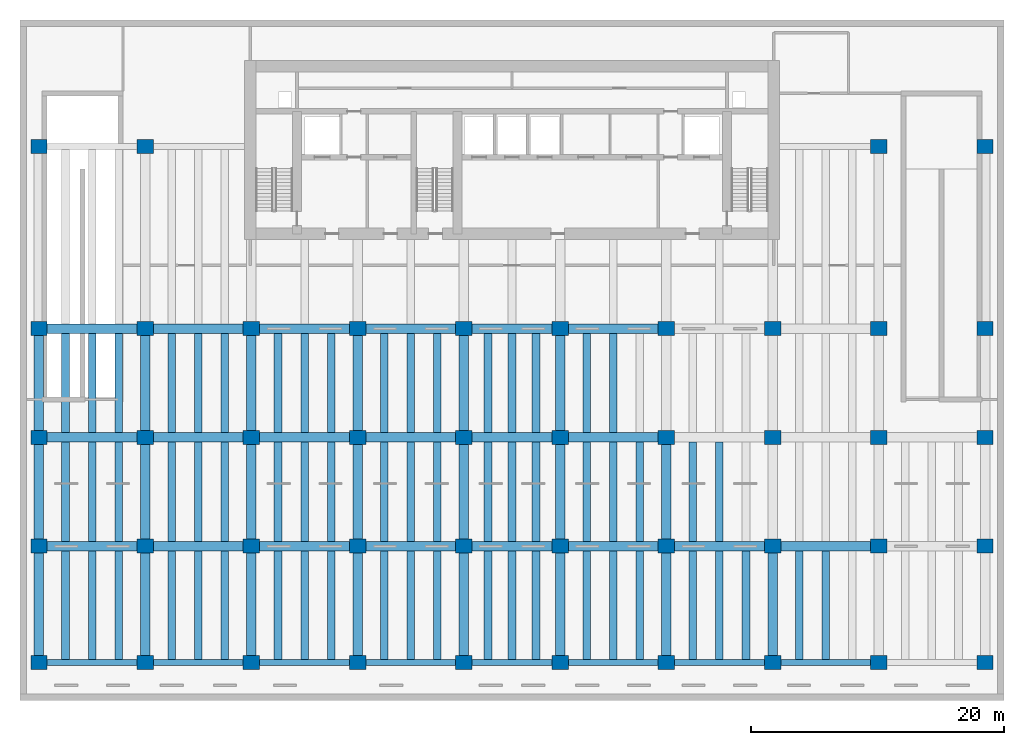
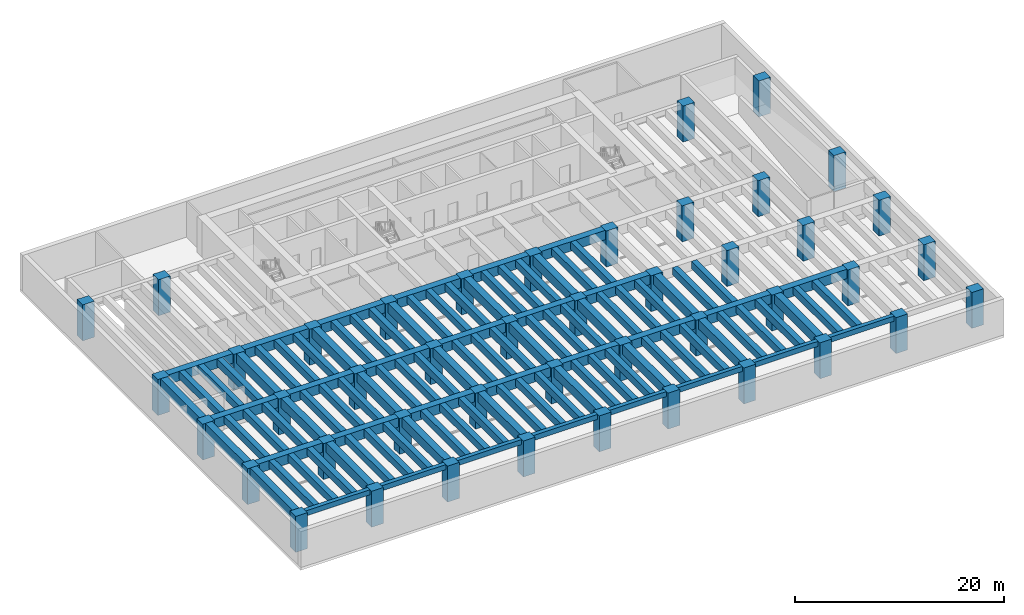
# One storey, part 1 of 8: 109 beams, 44 columns.
"""IFC4 building model written with IfcOpenShell, lengths in metres."""

import ifcopenshell
import ifcopenshell.guid

model = None  # the IFC model being written
_history = None  # IfcOwnerHistory: only IFC2X3 demands one
_inside = {}  # id of a spatial element -> (the spatial element, [elements in it])
_under = {}  # id of a project, library or spatial element -> (it, [spatial elements below it])
_declared = {}  # id of a project -> (the project, [libraries it declares])
_typed = {}  # id of a type object -> (the type object, [elements of that type])
_made_of = {}  # id of a material, layer set ... -> (it, [elements and type objects made of it])


def new_model(schema):
    """Start an empty IFC model of exactly this schema.

    Asked for "IFC4X3", IfcOpenShell would pick the latest addendum, in which some entities
    have other attributes; the version numbers below select the first issue.
    IFC2X3 requires an IfcOwnerHistory on every rooted entity: one is made here for all.
    """
    global model, _history
    if schema == "IFC4X3":
        model = ifcopenshell.file(schema_version=(4, 3, 0, 0))
    else:
        model = ifcopenshell.file(schema=schema)
    _inside.clear()
    _under.clear()
    _declared.clear()
    _typed.clear()
    _made_of.clear()
    _history = None
    if model.schema == "IFC2X3":
        org = make("IfcOrganization", Name="unknown")
        user = make(
            "IfcPersonAndOrganization",
            ThePerson=make("IfcPerson", FamilyName="unknown"),
            TheOrganization=org,
        )
        app = make(
            "IfcApplication",
            ApplicationDeveloper=org,
            Version="unknown",
            ApplicationFullName="unknown",
            ApplicationIdentifier="unknown",
        )
        _history = make(
            "IfcOwnerHistory",
            OwningUser=user,
            OwningApplication=app,
            ChangeAction="ADDED",
            CreationDate=0,
        )
    return model


def make(cls, **values):
    """One entity of the class cls with the attributes given. An attribute that is None is left unset."""
    return model.create_entity(
        cls, **{name: value for name, value in values.items() if value is not None}
    )


def rooted(cls, **values):
    """An entity with a GlobalId (a new one), such as an element, a storey or a relation."""
    return make(cls, GlobalId=ifcopenshell.guid.new(), OwnerHistory=_history, **values)


def si_unit(unit_type, name, prefix=None):
    """IfcSIUnit, for example si_unit("LENGTHUNIT", "METRE", prefix="MILLI")."""
    return make("IfcSIUnit", UnitType=unit_type, Prefix=prefix, Name=name)


def assignment(units):
    """IfcUnitAssignment: the units of a project."""
    return None if units is None else make("IfcUnitAssignment", Units=units)


def point(xyz):
    """IfcCartesianPoint."""
    return None if xyz is None else make("IfcCartesianPoint", Coordinates=xyz)


def direction(xyz):
    """IfcDirection."""
    return None if xyz is None else make("IfcDirection", DirectionRatios=xyz)


def frame(location, z_axis=None, x_axis=None):
    """IfcAxis2Placement3D, a coordinate frame: its origin and axes. An axis left out is left unset."""
    return make(
        "IfcAxis2Placement3D",
        Location=point(location),
        Axis=direction(z_axis),
        RefDirection=direction(x_axis),
    )


def frame_2d(location, x_axis=None):
    """IfcAxis2Placement2D, a coordinate frame in the plane: its origin and x axis."""
    return make(
        "IfcAxis2Placement2D", Location=point(location), RefDirection=direction(x_axis)
    )


def origin():
    """The frame at (0, 0, 0) with its axes left unset."""
    return frame((0.0, 0.0, 0.0))


def origin_2d():
    """The frame at (0, 0) in the plane with its x axis left unset."""
    return frame_2d((0.0, 0.0))


def place(relative_to, where):
    """IfcLocalPlacement: puts the frame where relative to a parent placement (None: the world)."""
    return make(
        "IfcLocalPlacement", PlacementRelTo=relative_to, RelativePlacement=where
    )


def context(
    kind, dimensions, precision=None, world=None, true_north=None, identifier=None
):
    """IfcGeometricRepresentationContext, for example the 3D "Model" context."""
    return make(
        "IfcGeometricRepresentationContext",
        ContextIdentifier=identifier,
        ContextType=kind,
        CoordinateSpaceDimension=dimensions,
        Precision=precision,
        WorldCoordinateSystem=world,
        TrueNorth=true_north,
    )


def subcontext(parent, identifier, kind, view, scale=None):
    """IfcGeometricRepresentationSubContext, for example "Body" below "Model"."""
    return make(
        "IfcGeometricRepresentationSubContext",
        ContextIdentifier=identifier,
        ContextType=kind,
        ParentContext=parent,
        TargetScale=scale,
        TargetView=view,
    )


def project(units=None, contexts=None):
    """IfcProject with its units and contexts."""
    return rooted(
        "IfcProject",
        Name="project",
        RepresentationContexts=contexts,
        UnitsInContext=assignment(units),
    )


def spatial(cls, under=None, at=None, **own):
    """A site, building, storey or space (cls), placed at a placement, below another one or the project."""
    s = rooted(cls, ObjectPlacement=at, **own)
    if under is not None:
        _under.setdefault(under.id(), (under, []))[1].append(s)
    return s


def profile(cls, at=None, kind="AREA", **sizes):
    """A parametric profile (cls). Its sizes go by their IFC names, for example OverallWidth=200.0."""
    return make(cls, ProfileType=kind, Position=at, **sizes)


def rectangle(**sizes):
    """IfcRectangleProfileDef."""
    return profile("IfcRectangleProfileDef", **sizes)


def extrude(swept, where, along, depth):
    """IfcExtrudedAreaSolid: the profile swept, set in the frame where, extruded along a direction by depth."""
    return make(
        "IfcExtrudedAreaSolid",
        SweptArea=swept,
        Position=where,
        ExtrudedDirection=direction(along),
        Depth=depth,
    )


def shape(context_of_items, identifier, shape_type, items):
    """IfcShapeRepresentation: the items that make up one representation, for example the "Body"."""
    return make(
        "IfcShapeRepresentation",
        ContextOfItems=context_of_items,
        RepresentationIdentifier=identifier,
        RepresentationType=shape_type,
        Items=items,
    )


def material(Name=None, Category=None):
    """IfcMaterial."""
    return make("IfcMaterial", Name=Name, Category=Category)


def material_profile(
    of_material, cross_section, Name=None, Category=None, Priority=None
):
    """IfcMaterialProfile: a cross section and its material."""
    return make(
        "IfcMaterialProfile",
        Name=Name,
        Material=of_material,
        Profile=cross_section,
        Priority=Priority,
        Category=Category,
    )


def profile_set(profiles, Name=None, composite=None):
    """IfcMaterialProfileSet."""
    return make(
        "IfcMaterialProfileSet",
        Name=Name,
        MaterialProfiles=profiles,
        CompositeProfile=composite,
    )


def made_of(thing, what):
    """Note that an element or type object is made of a material, layer set ...; save() writes the relation."""
    if what is not None:
        _made_of.setdefault(what.id(), (what, []))[1].append(thing)
    return thing


def type_object(cls, material=None, **own):
    """A type object (cls), such as IfcWallType, which elements share."""
    return made_of(rooted(cls, **own), material)


def element(
    cls,
    number,
    at=None,
    inside=None,
    cuts=None,
    type_object=None,
    material=None,
    context=None,
    identifier="Body",
    shape_type=None,
    held_by="IfcProductDefinitionShape",
    body=None,
    shapes=None,
    **own,
):
    """One element of the class cls, such as IfcWall. Its Tag is "e" and its number.

    at: its placement. inside: the storey or other place that contains it. cuts: it is an
    opening in that element (IfcRelVoidsElement). A single representation is given by context,
    identifier, shape_type and body (its items); several are given by shapes. held_by: the class
    of the entity that holds the representations. save() writes the other relations.
    """
    e = rooted(cls, Tag="e%d" % number, ObjectPlacement=at, **own)
    if body is not None:
        shapes = [shape(context, identifier, shape_type, body)]
    if shapes is not None:
        e.Representation = make(held_by, Representations=shapes)
    if inside is not None:
        _inside.setdefault(inside.id(), (inside, []))[1].append(e)
    if cuts is not None:
        rooted(
            "IfcRelVoidsElement", RelatingBuildingElement=cuts, RelatedOpeningElement=e
        )
    if type_object is not None:
        _typed.setdefault(type_object.id(), (type_object, []))[1].append(e)
    return made_of(e, material)


def aggregate(whole, parts):
    """IfcRelAggregates: a whole, such as a stair, and the parts it consists of."""
    return rooted("IfcRelAggregates", RelatingObject=whole, RelatedObjects=parts)


def save(model, path):
    """Write the relations noted so far, then the file.

    IfcRelAggregates (storeys below a building ...), IfcRelContainedInSpatialStructure (elements
    in a storey), IfcRelDefinesByType, IfcRelAssociatesMaterial and IfcRelDeclares: one each for
    every whole, place, type object, material and project.
    """
    for whole, parts in _under.values():
        aggregate(whole, parts)
    for where, things in _inside.values():
        rooted(
            "IfcRelContainedInSpatialStructure",
            RelatedElements=things,
            RelatingStructure=where,
        )
    for kind, things in _typed.values():
        rooted("IfcRelDefinesByType", RelatedObjects=things, RelatingType=kind)
    for what, things in _made_of.values():
        rooted("IfcRelAssociatesMaterial", RelatedObjects=things, RelatingMaterial=what)
    for by, libraries in _declared.values():
        rooted("IfcRelDeclares", RelatingContext=by, RelatedDefinitions=libraries)
    model.write(path)


model = new_model("IFC4")

# Units and contexts
model_context = context("Model", 3, precision=1e-05, world=origin(), true_north=direction((0.0, 1.0)))
body_context = subcontext(model_context, "Body", "Model", "MODEL_VIEW")
ifc_project = project(units=[si_unit("LENGTHUNIT", "METRE"), si_unit("AREAUNIT", "SQUARE_METRE"), si_unit("VOLUMEUNIT", "CUBIC_METRE"), si_unit("PLANEANGLEUNIT", "RADIAN"), si_unit("MASSUNIT", "GRAM", prefix="KILO")], contexts=[model_context])

# Site, building, storey
site_placement = place(None, origin())
site = spatial("IfcSite", under=ifc_project, at=site_placement, CompositionType="ELEMENT")
building_placement = place(site_placement, origin())
building = spatial("IfcBuilding", under=site, at=building_placement, Name="Caelmar Bay Residences", CompositionType="ELEMENT")
storey_placement = place(building_placement, frame((0.0, 0.0, -4.5)))
storey = spatial("IfcBuildingStorey", under=building, at=storey_placement, Name="B01", CompositionType="ELEMENT", Elevation=-4.5)

# Columns
ifc_material_1 = material(Name="Concrete f'c 70 MPa (10,000 psi)", Category="concrete")
ifc_material_profile_1 = material_profile(ifc_material_1, rectangle(XDim=1.300048828125, YDim=1.10009765625, at=origin_2d()), Name="RC-COL-1300X1100")
ifc_profile_set_1 = profile_set([ifc_material_profile_1], Name="Concrete f'c 70 MPa (10,000 psi)")
column_type = type_object("IfcColumnType", Name="COL-RC-1300X1100", PredefinedType="COLUMN", material=ifc_profile_set_1)
for number, where, z_axis, x_axis, name in (
    (1, (1.5, 3.0, 0.0), (0.0, 0.0, 1.0), (1.0, 0.0, 0.0), "B01 Column (1.50,3.00)"),
    (2, (9.89990234375, 3.0, 0.0), (0.0, 0.0, 1.0), (1.0, 0.0, 0.0), "B01 Column (9.90,3.00)"),
    (3, (18.300048828125, 3.0, 0.0), (0.0, 0.0, 1.0), (1.0, 0.0, 0.0), "B01 Column (18.30,3.00)"),
    (4, (26.699951171875, 3.0, 0.0), (0.0, 0.0, 1.0), (1.0, 0.0, 0.0), "B01 Column (26.70,3.00)"),
    (5, (35.10009765625, 3.0, 0.0), (0.0, 0.0, 1.0), (1.0, 0.0, 0.0), "B01 Column (35.10,3.00)"),
    (6, (42.699951171875, 3.0, 0.0), (0.0, 0.0, 1.0), (1.0, 0.0, 0.0), "B01 Column (42.70,3.00)"),
    (7, (51.10009765625, 3.0, 0.0), (0.0, 0.0, 1.0), (1.0, 0.0, 0.0), "B01 Column (51.10,3.00)"),
    (8, (59.5, 3.0, 0.0), (0.0, 0.0, 1.0), (1.0, 0.0, 0.0), "B01 Column (59.50,3.00)"),
    (9, (67.89990234375, 3.0, 0.0), (0.0, 0.0, 1.0), (1.0, 0.0, 0.0), "B01 Column (67.90,3.00)"),
    (10, (76.300048828125, 3.0, 0.0), (0.0, 0.0, 1.0), (1.0, 0.0, 0.0), "B01 Column (76.30,3.00)"),
    (11, (1.5, 12.199951171875, 0.0), (0.0, 0.0, 1.0), (1.0, 0.0, 0.0), "B01 Column (1.50,12.20)"),
    (12, (9.89990234375, 12.199951171875, 0.0), (0.0, 0.0, 1.0), (1.0, 0.0, 0.0), "B01 Column (9.90,12.20)"),
    (13, (18.300048828125, 12.199951171875, 0.0), (0.0, 0.0, 1.0), (1.0, 0.0, 0.0), "B01 Column (18.30,12.20)"),
    (14, (26.699951171875, 12.199951171875, 0.0), (0.0, 0.0, 1.0), (1.0, 0.0, 0.0), "B01 Column (26.70,12.20)"),
    (15, (35.10009765625, 12.199951171875, 0.0), (0.0, 0.0, 1.0), (1.0, 0.0, 0.0), "B01 Column (35.10,12.20)"),
    (16, (42.699951171875, 12.199951171875, 0.0), (0.0, 0.0, 1.0), (1.0, 0.0, 0.0), "B01 Column (42.70,12.20)"),
    (17, (51.10009765625, 12.199951171875, 0.0), (0.0, 0.0, 1.0), (1.0, 0.0, 0.0), "B01 Column (51.10,12.20)"),
    (18, (59.5, 12.199951171875, 0.0), (0.0, 0.0, 1.0), (1.0, 0.0, 0.0), "B01 Column (59.50,12.20)"),
    (19, (67.89990234375, 12.199951171875, 0.0), (0.0, 0.0, 1.0), (1.0, 0.0, 0.0), "B01 Column (67.90,12.20)"),
    (20, (76.300048828125, 12.199951171875, 0.0), (0.0, 0.0, 1.0), (1.0, 0.0, 0.0), "B01 Column (76.30,12.20)"),
    (21, (1.5, 20.800048828125, 0.0), (0.0, 0.0, 1.0), (1.0, 0.0, 0.0), "B01 Column (1.50,20.80)"),
    (22, (9.89990234375, 20.800048828125, 0.0), (0.0, 0.0, 1.0), (1.0, 0.0, 0.0), "B01 Column (9.90,20.80)"),
    (23, (18.300048828125, 20.800048828125, 0.0), (0.0, 0.0, 1.0), (1.0, 0.0, 0.0), "B01 Column (18.30,20.80)"),
    (24, (26.699951171875, 20.800048828125, 0.0), (0.0, 0.0, 1.0), (1.0, 0.0, 0.0), "B01 Column (26.70,20.80)"),
    (25, (35.10009765625, 20.800048828125, 0.0), (0.0, 0.0, 1.0), (1.0, 0.0, 0.0), "B01 Column (35.10,20.80)"),
    (26, (42.699951171875, 20.800048828125, 0.0), (0.0, 0.0, 1.0), (1.0, 0.0, 0.0), "B01 Column (42.70,20.80)"),
    (27, (51.10009765625, 20.800048828125, 0.0), (0.0, 0.0, 1.0), (1.0, 0.0, 0.0), "B01 Column (51.10,20.80)"),
    (28, (59.5, 20.800048828125, 0.0), (0.0, 0.0, 1.0), (1.0, 0.0, 0.0), "B01 Column (59.50,20.80)"),
    (29, (67.89990234375, 20.800048828125, 0.0), (0.0, 0.0, 1.0), (1.0, 0.0, 0.0), "B01 Column (67.90,20.80)"),
    (30, (76.300048828125, 20.800048828125, 0.0), (0.0, 0.0, 1.0), (1.0, 0.0, 0.0), "B01 Column (76.30,20.80)"),
    (31, (1.5, 29.39990234375, 0.0), (0.0, 0.0, 1.0), (1.0, 0.0, 0.0), "B01 Column (1.50,29.40)"),
    (32, (9.89990234375, 29.39990234375, 0.0), (0.0, 0.0, 1.0), (1.0, 0.0, 0.0), "B01 Column (9.90,29.40)"),
    (33, (18.300048828125, 29.39990234375, 0.0), (0.0, 0.0, 1.0), (1.0, 0.0, 0.0), "B01 Column (18.30,29.40)"),
    (34, (26.699951171875, 29.39990234375, 0.0), (0.0, 0.0, 1.0), (1.0, 0.0, 0.0), "B01 Column (26.70,29.40)"),
    (35, (35.10009765625, 29.39990234375, 0.0), (0.0, 0.0, 1.0), (1.0, 0.0, 0.0), "B01 Column (35.10,29.40)"),
    (36, (42.699951171875, 29.39990234375, 0.0), (0.0, 0.0, 1.0), (1.0, 0.0, 0.0), "B01 Column (42.70,29.40)"),
    (37, (51.10009765625, 29.39990234375, 0.0), (0.0, 0.0, 1.0), (1.0, 0.0, 0.0), "B01 Column (51.10,29.40)"),
    (38, (59.5, 29.39990234375, 0.0), (0.0, 0.0, 1.0), (1.0, 0.0, 0.0), "B01 Column (59.50,29.40)"),
    (39, (67.89990234375, 29.39990234375, 0.0), (0.0, 0.0, 1.0), (1.0, 0.0, 0.0), "B01 Column (67.90,29.40)"),
    (40, (76.300048828125, 29.39990234375, 0.0), (0.0, 0.0, 1.0), (1.0, 0.0, 0.0), "B01 Column (76.30,29.40)"),
    (41, (1.5, 43.800048828125, 0.0), (0.0, 0.0, 1.0), (1.0, 0.0, 0.0), "B01 Column (1.50,43.80)"),
    (42, (9.89990234375, 43.800048828125, 0.0), (0.0, 0.0, 1.0), (1.0, 0.0, 0.0), "B01 Column (9.90,43.80)"),
    (43, (67.89990234375, 43.800048828125, 0.0), (0.0, 0.0, 1.0), (1.0, 0.0, 0.0), "B01 Column (67.90,43.80)"),
    (44, (76.300048828125, 43.800048828125, 0.0), (0.0, 0.0, 1.0), (1.0, 0.0, 0.0), "B01 Column (76.30,43.80)"),
):
    element("IfcColumn", number, at=place(storey_placement, frame(where, z_axis=z_axis, x_axis=x_axis)), inside=storey, type_object=column_type, Name=name, PredefinedType="COLUMN", context=body_context, shape_type="SweptSolid", body=[
        extrude(rectangle(XDim=1.300048828125, YDim=1.10009765625, at=origin_2d()), origin(), (0.0, 0.0, 1.0), 4.199951171875),
    ])

# Beams
ifc_material_2 = material(Name="Concrete f'c 40 MPa (6,000 psi)", Category="concrete")
ifc_material_profile_2 = material_profile(ifc_material_2, rectangle(XDim=0.449951171875, YDim=0.60009765625, at=origin_2d()), Name="RC-BM-450X600")
ifc_profile_set_2 = profile_set([ifc_material_profile_2], Name="Concrete f'c 40 MPa (6,000 psi)")
beam_type_1 = type_object("IfcBeamType", Name="BM-RC-450X600", PredefinedType="SPANDREL", material=ifc_profile_set_2)
for number, where, z_axis, x_axis, name in (
    (45, (2.0400390625, 3.0, 3.89990234375), (1.0, 0.0, 0.0), (0.0, 1.0, 0.0), "B01 East-West Girder Y=3.00 (1.5-9.9)"),
    (46, (10.43994140625, 3.0, 3.89990234375), (1.0, 0.0, 0.0), (0.0, 1.0, 0.0), "B01 East-West Girder Y=3.00 (9.9-18.3)"),
):
    element("IfcBeam", number, at=place(storey_placement, frame(where, z_axis=z_axis, x_axis=x_axis)), inside=storey, type_object=beam_type_1, Name=name, PredefinedType="SPANDREL", context=body_context, shape_type="SweptSolid", body=[
        extrude(rectangle(XDim=0.449951171875, YDim=0.60009765625, at=origin_2d()), origin(), (0.0, 0.0, 1.0), 7.320068359375),
    ])
beam_1_placement = place(storey_placement, frame((18.840087890625, 3.0, 3.89990234375), z_axis=(1.0, 0.0, 0.0), x_axis=(0.0, 1.0, 0.0)))
element("IfcBeam", 47, at=beam_1_placement, inside=storey, type_object=beam_type_1, Name="B01 East-West Girder Y=3.00 (18.3-26.7)", PredefinedType="SPANDREL", context=body_context, shape_type="SweptSolid", body=[
    extrude(rectangle(XDim=0.449951171875, YDim=0.60009765625, at=origin_2d()), origin(), (0.0, 0.0, 1.0), 7.31982421875),
])
beam_2_placement = place(storey_placement, frame((27.239990234375, 3.0, 3.89990234375), z_axis=(1.0, 0.0, 0.0), x_axis=(0.0, 1.0, 0.0)))
element("IfcBeam", 48, at=beam_2_placement, inside=storey, type_object=beam_type_1, Name="B01 East-West Girder Y=3.00 (26.7-35.1)", PredefinedType="SPANDREL", context=body_context, shape_type="SweptSolid", body=[
    extrude(rectangle(XDim=0.449951171875, YDim=0.60009765625, at=origin_2d()), origin(), (0.0, 0.0, 1.0), 7.320068359375),
])
beam_3_placement = place(storey_placement, frame((35.639892578125, 3.0, 3.89990234375), z_axis=(1.0, 0.0, 0.0), x_axis=(0.0, 1.0, 0.0)))
element("IfcBeam", 49, at=beam_3_placement, inside=storey, type_object=beam_type_1, Name="B01 East-West Girder Y=3.00 (35.1-42.7)", PredefinedType="SPANDREL", context=body_context, shape_type="SweptSolid", body=[
    extrude(rectangle(XDim=0.449951171875, YDim=0.60009765625, at=origin_2d()), origin(), (0.0, 0.0, 1.0), 6.52001953125),
])
for number, where, z_axis, x_axis, name in (
    (50, (43.239990234375, 3.0, 3.89990234375), (1.0, 0.0, 0.0), (0.0, 1.0, 0.0), "B01 East-West Girder Y=3.00 (42.7-51.1)"),
    (51, (51.639892578125, 3.0, 3.89990234375), (1.0, 0.0, 0.0), (0.0, 1.0, 0.0), "B01 East-West Girder Y=3.00 (51.1-59.5)"),
    (52, (60.0400390625, 3.0, 3.89990234375), (1.0, 0.0, 0.0), (0.0, 1.0, 0.0), "B01 East-West Girder Y=3.00 (59.5-67.9)"),
):
    element("IfcBeam", number, at=place(storey_placement, frame(where, z_axis=z_axis, x_axis=x_axis)), inside=storey, type_object=beam_type_1, Name=name, PredefinedType="SPANDREL", context=body_context, shape_type="SweptSolid", body=[
        extrude(rectangle(XDim=0.449951171875, YDim=0.60009765625, at=origin_2d()), origin(), (0.0, 0.0, 1.0), 7.320068359375),
    ])
ifc_material_profile_3 = material_profile(ifc_material_1, rectangle(XDim=0.60009765625, YDim=0.85009765625, at=origin_2d()), Name="RC-BM-600X850")
ifc_profile_set_3 = profile_set([ifc_material_profile_3], Name="Concrete f'c 70 MPa (10,000 psi)")
beam_type_2 = type_object("IfcBeamType", Name="BM-RC-600X850", PredefinedType="BEAM", material=ifc_profile_set_3)
for number, where, z_axis, x_axis, name in (
    (53, (3.60009765625, 3.22509765625, 3.77490234375), (0.0, 1.0, 0.0), (-1.0, 0.0, 0.0), "B01 Composite Floor Joist 1"),
    (54, (5.699951171875, 3.22509765625, 3.77490234375), (0.0, 1.0, 0.0), (-1.0, 0.0, 0.0), "B01 Composite Floor Joist 2"),
    (55, (7.800048828125, 3.22509765625, 3.77490234375), (0.0, 1.0, 0.0), (-1.0, 0.0, 0.0), "B01 Composite Floor Joist 3"),
    (56, (12.0, 3.22509765625, 3.77490234375), (0.0, 1.0, 0.0), (-1.0, 0.0, 0.0), "B01 Composite Floor Joist 4"),
    (57, (14.10009765625, 3.22509765625, 3.77490234375), (0.0, 1.0, 0.0), (-1.0, 0.0, 0.0), "B01 Composite Floor Joist 5"),
    (58, (16.199951171875, 3.22509765625, 3.77490234375), (0.0, 1.0, 0.0), (-1.0, 0.0, 0.0), "B01 Composite Floor Joist 6"),
    (59, (20.39990234375, 3.22509765625, 3.77490234375), (0.0, 1.0, 0.0), (-1.0, 0.0, 0.0), "B01 Composite Floor Joist 7"),
    (60, (22.5, 3.22509765625, 3.77490234375), (0.0, 1.0, 0.0), (-1.0, 0.0, 0.0), "B01 Composite Floor Joist 8"),
    (61, (24.60009765625, 3.22509765625, 3.77490234375), (0.0, 1.0, 0.0), (-1.0, 0.0, 0.0), "B01 Composite Floor Joist 9"),
    (62, (28.800048828125, 3.22509765625, 3.77490234375), (0.0, 1.0, 0.0), (-1.0, 0.0, 0.0), "B01 Composite Floor Joist 10"),
    (63, (30.89990234375, 3.22509765625, 3.77490234375), (0.0, 1.0, 0.0), (-1.0, 0.0, 0.0), "B01 Composite Floor Joist 11"),
    (64, (33.0, 3.22509765625, 3.77490234375), (0.0, 1.0, 0.0), (-1.0, 0.0, 0.0), "B01 Composite Floor Joist 12"),
    (65, (37.0, 3.22509765625, 3.77490234375), (0.0, 1.0, 0.0), (-1.0, 0.0, 0.0), "B01 Composite Floor Joist 13"),
    (66, (38.89990234375, 3.22509765625, 3.77490234375), (0.0, 1.0, 0.0), (-1.0, 0.0, 0.0), "B01 Composite Floor Joist 14"),
    (67, (40.800048828125, 3.22509765625, 3.77490234375), (0.0, 1.0, 0.0), (-1.0, 0.0, 0.0), "B01 Composite Floor Joist 15"),
    (68, (44.800048828125, 3.22509765625, 3.77490234375), (0.0, 1.0, 0.0), (-1.0, 0.0, 0.0), "B01 Composite Floor Joist 16"),
    (69, (46.89990234375, 3.22509765625, 3.77490234375), (0.0, 1.0, 0.0), (-1.0, 0.0, 0.0), "B01 Composite Floor Joist 17"),
    (70, (49.0, 3.22509765625, 3.77490234375), (0.0, 1.0, 0.0), (-1.0, 0.0, 0.0), "B01 Composite Floor Joist 18"),
    (71, (53.199951171875, 3.22509765625, 3.77490234375), (0.0, 1.0, 0.0), (-1.0, 0.0, 0.0), "B01 Composite Floor Joist 19"),
    (72, (55.300048828125, 3.22509765625, 3.77490234375), (0.0, 1.0, 0.0), (-1.0, 0.0, 0.0), "B01 Composite Floor Joist 20"),
    (73, (57.39990234375, 3.22509765625, 3.77490234375), (0.0, 1.0, 0.0), (-1.0, 0.0, 0.0), "B01 Composite Floor Joist 21"),
    (74, (61.60009765625, 3.22509765625, 3.77490234375), (0.0, 1.0, 0.0), (-1.0, 0.0, 0.0), "B01 Composite Floor Joist 22"),
    (75, (63.699951171875, 3.22509765625, 3.77490234375), (0.0, 1.0, 0.0), (-1.0, 0.0, 0.0), "B01 Composite Floor Joist 23"),
):
    element("IfcBeam", number, at=place(storey_placement, frame(where, z_axis=z_axis, x_axis=x_axis)), inside=storey, type_object=beam_type_2, Name=name, PredefinedType="BEAM", context=body_context, shape_type="SweptSolid", body=[
        extrude(rectangle(XDim=0.60009765625, YDim=0.85009765625, at=origin_2d()), origin(), (0.0, 0.0, 1.0), 8.599853515625),
    ])
for number, where, z_axis, x_axis, name in (
    (76, (3.60009765625, 12.574951171875, 3.77490234375), (0.0, 1.0, 0.0), (-1.0, 0.0, 0.0), "B01 Composite Floor Joist 28"),
    (77, (5.699951171875, 12.574951171875, 3.77490234375), (0.0, 1.0, 0.0), (-1.0, 0.0, 0.0), "B01 Composite Floor Joist 29"),
    (78, (7.800048828125, 12.574951171875, 3.77490234375), (0.0, 1.0, 0.0), (-1.0, 0.0, 0.0), "B01 Composite Floor Joist 30"),
    (79, (12.0, 12.574951171875, 3.77490234375), (0.0, 1.0, 0.0), (-1.0, 0.0, 0.0), "B01 Composite Floor Joist 31"),
    (80, (14.10009765625, 12.574951171875, 3.77490234375), (0.0, 1.0, 0.0), (-1.0, 0.0, 0.0), "B01 Composite Floor Joist 32"),
    (81, (16.199951171875, 12.574951171875, 3.77490234375), (0.0, 1.0, 0.0), (-1.0, 0.0, 0.0), "B01 Composite Floor Joist 33"),
    (82, (20.39990234375, 12.574951171875, 3.77490234375), (0.0, 1.0, 0.0), (-1.0, 0.0, 0.0), "B01 Composite Floor Joist 34"),
    (83, (22.5, 12.574951171875, 3.77490234375), (0.0, 1.0, 0.0), (-1.0, 0.0, 0.0), "B01 Composite Floor Joist 35"),
    (84, (24.60009765625, 12.574951171875, 3.77490234375), (0.0, 1.0, 0.0), (-1.0, 0.0, 0.0), "B01 Composite Floor Joist 36"),
    (85, (28.800048828125, 12.574951171875, 3.77490234375), (0.0, 1.0, 0.0), (-1.0, 0.0, 0.0), "B01 Composite Floor Joist 37"),
    (86, (30.89990234375, 12.574951171875, 3.77490234375), (0.0, 1.0, 0.0), (-1.0, 0.0, 0.0), "B01 Composite Floor Joist 38"),
    (87, (33.0, 12.574951171875, 3.77490234375), (0.0, 1.0, 0.0), (-1.0, 0.0, 0.0), "B01 Composite Floor Joist 39"),
    (88, (37.0, 12.574951171875, 3.77490234375), (0.0, 1.0, 0.0), (-1.0, 0.0, 0.0), "B01 Composite Floor Joist 40"),
    (89, (38.89990234375, 12.574951171875, 3.77490234375), (0.0, 1.0, 0.0), (-1.0, 0.0, 0.0), "B01 Composite Floor Joist 41"),
    (90, (40.800048828125, 12.574951171875, 3.77490234375), (0.0, 1.0, 0.0), (-1.0, 0.0, 0.0), "B01 Composite Floor Joist 42"),
    (91, (44.800048828125, 12.574951171875, 3.77490234375), (0.0, 1.0, 0.0), (-1.0, 0.0, 0.0), "B01 Composite Floor Joist 43"),
    (92, (46.89990234375, 12.574951171875, 3.77490234375), (0.0, 1.0, 0.0), (-1.0, 0.0, 0.0), "B01 Composite Floor Joist 44"),
    (93, (49.0, 12.574951171875, 3.77490234375), (0.0, 1.0, 0.0), (-1.0, 0.0, 0.0), "B01 Composite Floor Joist 45"),
    (94, (53.199951171875, 12.574951171875, 3.77490234375), (0.0, 1.0, 0.0), (-1.0, 0.0, 0.0), "B01 Composite Floor Joist 46"),
    (95, (55.300048828125, 12.574951171875, 3.77490234375), (0.0, 1.0, 0.0), (-1.0, 0.0, 0.0), "B01 Composite Floor Joist 47"),
):
    element("IfcBeam", number, at=place(storey_placement, frame(where, z_axis=z_axis, x_axis=x_axis)), inside=storey, type_object=beam_type_2, Name=name, PredefinedType="BEAM", context=body_context, shape_type="SweptSolid", body=[
        extrude(rectangle(XDim=0.60009765625, YDim=0.85009765625, at=origin_2d()), origin(), (0.0, 0.0, 1.0), 7.85009765625),
    ])
for number, where, z_axis, x_axis, name in (
    (96, (3.60009765625, 21.175048828125, 3.77490234375), (0.0, 1.0, 0.0), (-1.0, 0.0, 0.0), "B01 Composite Floor Joist 55"),
    (97, (5.699951171875, 21.175048828125, 3.77490234375), (0.0, 1.0, 0.0), (-1.0, 0.0, 0.0), "B01 Composite Floor Joist 56"),
    (98, (7.800048828125, 21.175048828125, 3.77490234375), (0.0, 1.0, 0.0), (-1.0, 0.0, 0.0), "B01 Composite Floor Joist 57"),
    (99, (12.0, 21.175048828125, 3.77490234375), (0.0, 1.0, 0.0), (-1.0, 0.0, 0.0), "B01 Composite Floor Joist 58"),
    (100, (14.10009765625, 21.175048828125, 3.77490234375), (0.0, 1.0, 0.0), (-1.0, 0.0, 0.0), "B01 Composite Floor Joist 59"),
    (101, (16.199951171875, 21.175048828125, 3.77490234375), (0.0, 1.0, 0.0), (-1.0, 0.0, 0.0), "B01 Composite Floor Joist 60"),
    (102, (20.39990234375, 21.175048828125, 3.77490234375), (0.0, 1.0, 0.0), (-1.0, 0.0, 0.0), "B01 Composite Floor Joist 61"),
    (103, (22.5, 21.175048828125, 3.77490234375), (0.0, 1.0, 0.0), (-1.0, 0.0, 0.0), "B01 Composite Floor Joist 62"),
    (104, (24.60009765625, 21.175048828125, 3.77490234375), (0.0, 1.0, 0.0), (-1.0, 0.0, 0.0), "B01 Composite Floor Joist 63"),
    (105, (28.800048828125, 21.175048828125, 3.77490234375), (0.0, 1.0, 0.0), (-1.0, 0.0, 0.0), "B01 Composite Floor Joist 64"),
    (106, (30.89990234375, 21.175048828125, 3.77490234375), (0.0, 1.0, 0.0), (-1.0, 0.0, 0.0), "B01 Composite Floor Joist 65"),
    (107, (33.0, 21.175048828125, 3.77490234375), (0.0, 1.0, 0.0), (-1.0, 0.0, 0.0), "B01 Composite Floor Joist 66"),
    (108, (37.0, 21.175048828125, 3.77490234375), (0.0, 1.0, 0.0), (-1.0, 0.0, 0.0), "B01 Composite Floor Joist 67"),
    (109, (38.89990234375, 21.175048828125, 3.77490234375), (0.0, 1.0, 0.0), (-1.0, 0.0, 0.0), "B01 Composite Floor Joist 68"),
    (110, (40.800048828125, 21.175048828125, 3.77490234375), (0.0, 1.0, 0.0), (-1.0, 0.0, 0.0), "B01 Composite Floor Joist 69"),
    (111, (44.800048828125, 21.175048828125, 3.77490234375), (0.0, 1.0, 0.0), (-1.0, 0.0, 0.0), "B01 Composite Floor Joist 70"),
    (112, (46.89990234375, 21.175048828125, 3.77490234375), (0.0, 1.0, 0.0), (-1.0, 0.0, 0.0), "B01 Composite Floor Joist 71"),
):
    element("IfcBeam", number, at=place(storey_placement, frame(where, z_axis=z_axis, x_axis=x_axis)), inside=storey, type_object=beam_type_2, Name=name, PredefinedType="BEAM", context=body_context, shape_type="SweptSolid", body=[
        extrude(rectangle(XDim=0.60009765625, YDim=0.85009765625, at=origin_2d()), origin(), (0.0, 0.0, 1.0), 7.849853515625),
    ])
ifc_material_profile_4 = material_profile(ifc_material_1, rectangle(XDim=0.75, YDim=1.10009765625, at=origin_2d()), Name="RC-BM-750X1100")
ifc_profile_set_4 = profile_set([ifc_material_profile_4], Name="Concrete f'c 70 MPa (10,000 psi)")
beam_type_3 = type_object("IfcBeamType", Name="BM-RC-750X1100", PredefinedType="BEAM", material=ifc_profile_set_4)
for number, where, z_axis, x_axis, name in (
    (113, (2.0400390625, 12.199951171875, 3.64990234375), (1.0, 0.0, 0.0), (0.0, 1.0, 0.0), "B01 East-West Girder Y=12.20 (1.5-9.9)"),
    (114, (10.43994140625, 12.199951171875, 3.64990234375), (1.0, 0.0, 0.0), (0.0, 1.0, 0.0), "B01 East-West Girder Y=12.20 (9.9-18.3)"),
):
    element("IfcBeam", number, at=place(storey_placement, frame(where, z_axis=z_axis, x_axis=x_axis)), inside=storey, type_object=beam_type_3, Name=name, PredefinedType="BEAM", context=body_context, shape_type="SweptSolid", body=[
        extrude(rectangle(XDim=0.75, YDim=1.10009765625, at=origin_2d()), origin(), (0.0, 0.0, 1.0), 7.320068359375),
    ])
beam_4_placement = place(storey_placement, frame((18.840087890625, 12.199951171875, 3.64990234375), z_axis=(1.0, 0.0, 0.0), x_axis=(0.0, 1.0, 0.0)))
element("IfcBeam", 115, at=beam_4_placement, inside=storey, type_object=beam_type_3, Name="B01 East-West Girder Y=12.20 (18.3-26.7)", PredefinedType="BEAM", context=body_context, shape_type="SweptSolid", body=[
    extrude(rectangle(XDim=0.75, YDim=1.10009765625, at=origin_2d()), origin(), (0.0, 0.0, 1.0), 7.31982421875),
])
beam_5_placement = place(storey_placement, frame((27.239990234375, 12.199951171875, 3.64990234375), z_axis=(1.0, 0.0, 0.0), x_axis=(0.0, 1.0, 0.0)))
element("IfcBeam", 116, at=beam_5_placement, inside=storey, type_object=beam_type_3, Name="B01 East-West Girder Y=12.20 (26.7-35.1)", PredefinedType="BEAM", context=body_context, shape_type="SweptSolid", body=[
    extrude(rectangle(XDim=0.75, YDim=1.10009765625, at=origin_2d()), origin(), (0.0, 0.0, 1.0), 7.320068359375),
])
beam_6_placement = place(storey_placement, frame((35.639892578125, 12.199951171875, 3.64990234375), z_axis=(1.0, 0.0, 0.0), x_axis=(0.0, 1.0, 0.0)))
element("IfcBeam", 117, at=beam_6_placement, inside=storey, type_object=beam_type_3, Name="B01 East-West Girder Y=12.20 (35.1-42.7)", PredefinedType="BEAM", context=body_context, shape_type="SweptSolid", body=[
    extrude(rectangle(XDim=0.75, YDim=1.10009765625, at=origin_2d()), origin(), (0.0, 0.0, 1.0), 6.52001953125),
])
for number, where, z_axis, x_axis, name in (
    (118, (43.239990234375, 12.199951171875, 3.64990234375), (1.0, 0.0, 0.0), (0.0, 1.0, 0.0), "B01 East-West Girder Y=12.20 (42.7-51.1)"),
    (119, (51.639892578125, 12.199951171875, 3.64990234375), (1.0, 0.0, 0.0), (0.0, 1.0, 0.0), "B01 East-West Girder Y=12.20 (51.1-59.5)"),
    (120, (60.0400390625, 12.199951171875, 3.64990234375), (1.0, 0.0, 0.0), (0.0, 1.0, 0.0), "B01 East-West Girder Y=12.20 (59.5-67.9)"),
    (121, (2.0400390625, 20.800048828125, 3.64990234375), (1.0, 0.0, 0.0), (0.0, 1.0, 0.0), "B01 East-West Girder Y=20.80 (1.5-9.9)"),
    (122, (10.43994140625, 20.800048828125, 3.64990234375), (1.0, 0.0, 0.0), (0.0, 1.0, 0.0), "B01 East-West Girder Y=20.80 (9.9-18.3)"),
):
    element("IfcBeam", number, at=place(storey_placement, frame(where, z_axis=z_axis, x_axis=x_axis)), inside=storey, type_object=beam_type_3, Name=name, PredefinedType="BEAM", context=body_context, shape_type="SweptSolid", body=[
        extrude(rectangle(XDim=0.75, YDim=1.10009765625, at=origin_2d()), origin(), (0.0, 0.0, 1.0), 7.320068359375),
    ])
beam_7_placement = place(storey_placement, frame((18.840087890625, 20.800048828125, 3.64990234375), z_axis=(1.0, 0.0, 0.0), x_axis=(0.0, 1.0, 0.0)))
element("IfcBeam", 123, at=beam_7_placement, inside=storey, type_object=beam_type_3, Name="B01 East-West Girder Y=20.80 (18.3-26.7)", PredefinedType="BEAM", context=body_context, shape_type="SweptSolid", body=[
    extrude(rectangle(XDim=0.75, YDim=1.10009765625, at=origin_2d()), origin(), (0.0, 0.0, 1.0), 7.31982421875),
])
beam_8_placement = place(storey_placement, frame((27.239990234375, 20.800048828125, 3.64990234375), z_axis=(1.0, 0.0, 0.0), x_axis=(0.0, 1.0, 0.0)))
element("IfcBeam", 124, at=beam_8_placement, inside=storey, type_object=beam_type_3, Name="B01 East-West Girder Y=20.80 (26.7-35.1)", PredefinedType="BEAM", context=body_context, shape_type="SweptSolid", body=[
    extrude(rectangle(XDim=0.75, YDim=1.10009765625, at=origin_2d()), origin(), (0.0, 0.0, 1.0), 7.320068359375),
])
beam_9_placement = place(storey_placement, frame((35.639892578125, 20.800048828125, 3.64990234375), z_axis=(1.0, 0.0, 0.0), x_axis=(0.0, 1.0, 0.0)))
element("IfcBeam", 125, at=beam_9_placement, inside=storey, type_object=beam_type_3, Name="B01 East-West Girder Y=20.80 (35.1-42.7)", PredefinedType="BEAM", context=body_context, shape_type="SweptSolid", body=[
    extrude(rectangle(XDim=0.75, YDim=1.10009765625, at=origin_2d()), origin(), (0.0, 0.0, 1.0), 6.52001953125),
])
for number, where, z_axis, x_axis, name in (
    (126, (43.239990234375, 20.800048828125, 3.64990234375), (1.0, 0.0, 0.0), (0.0, 1.0, 0.0), "B01 East-West Girder Y=20.80 (42.7-51.1)"),
    (127, (2.0400390625, 29.39990234375, 3.64990234375), (1.0, 0.0, 0.0), (0.0, 1.0, 0.0), "B01 East-West Girder Y=29.40 (1.5-9.9)"),
    (128, (10.43994140625, 29.39990234375, 3.64990234375), (1.0, 0.0, 0.0), (0.0, 1.0, 0.0), "B01 East-West Girder Y=29.40 (9.9-18.3)"),
):
    element("IfcBeam", number, at=place(storey_placement, frame(where, z_axis=z_axis, x_axis=x_axis)), inside=storey, type_object=beam_type_3, Name=name, PredefinedType="BEAM", context=body_context, shape_type="SweptSolid", body=[
        extrude(rectangle(XDim=0.75, YDim=1.10009765625, at=origin_2d()), origin(), (0.0, 0.0, 1.0), 7.320068359375),
    ])
beam_10_placement = place(storey_placement, frame((18.840087890625, 29.39990234375, 3.64990234375), z_axis=(1.0, 0.0, 0.0), x_axis=(0.0, 1.0, 0.0)))
element("IfcBeam", 129, at=beam_10_placement, inside=storey, type_object=beam_type_3, Name="B01 East-West Girder Y=29.40 (18.3-26.7)", PredefinedType="BEAM", context=body_context, shape_type="SweptSolid", body=[
    extrude(rectangle(XDim=0.75, YDim=1.10009765625, at=origin_2d()), origin(), (0.0, 0.0, 1.0), 7.31982421875),
])
beam_11_placement = place(storey_placement, frame((27.239990234375, 29.39990234375, 3.64990234375), z_axis=(1.0, 0.0, 0.0), x_axis=(0.0, 1.0, 0.0)))
element("IfcBeam", 130, at=beam_11_placement, inside=storey, type_object=beam_type_3, Name="B01 East-West Girder Y=29.40 (26.7-35.1)", PredefinedType="BEAM", context=body_context, shape_type="SweptSolid", body=[
    extrude(rectangle(XDim=0.75, YDim=1.10009765625, at=origin_2d()), origin(), (0.0, 0.0, 1.0), 7.320068359375),
])
beam_12_placement = place(storey_placement, frame((35.639892578125, 29.39990234375, 3.64990234375), z_axis=(1.0, 0.0, 0.0), x_axis=(0.0, 1.0, 0.0)))
element("IfcBeam", 131, at=beam_12_placement, inside=storey, type_object=beam_type_3, Name="B01 East-West Girder Y=29.40 (35.1-42.7)", PredefinedType="BEAM", context=body_context, shape_type="SweptSolid", body=[
    extrude(rectangle(XDim=0.75, YDim=1.10009765625, at=origin_2d()), origin(), (0.0, 0.0, 1.0), 6.52001953125),
])
beam_13_placement = place(storey_placement, frame((43.239990234375, 29.39990234375, 3.64990234375), z_axis=(1.0, 0.0, 0.0), x_axis=(0.0, 1.0, 0.0)))
element("IfcBeam", 132, at=beam_13_placement, inside=storey, type_object=beam_type_3, Name="B01 East-West Girder Y=29.40 (42.7-51.1)", PredefinedType="BEAM", context=body_context, shape_type="SweptSolid", body=[
    extrude(rectangle(XDim=0.75, YDim=1.10009765625, at=origin_2d()), origin(), (0.0, 0.0, 1.0), 7.320068359375),
])
beam_14_placement = place(storey_placement, frame((1.5, 3.5400390625, 3.64990234375), z_axis=(0.0, 1.0, 0.0), x_axis=(-1.0, 0.0, 0.0)))
element("IfcBeam", 133, at=beam_14_placement, inside=storey, type_object=beam_type_3, Name="B01 North-South Girder X=1.50 (3.0-12.2)", PredefinedType="BEAM", context=body_context, shape_type="SweptSolid", body=[
    extrude(rectangle(XDim=0.75, YDim=1.10009765625, at=origin_2d()), origin(), (0.0, 0.0, 1.0), 8.119873046875),
])
for number, where, z_axis, x_axis, name in (
    (134, (1.5, 12.739990234375, 3.64990234375), (0.0, 1.0, 0.0), (-1.0, 0.0, 0.0), "B01 North-South Girder X=1.50 (12.2-20.8)"),
    (135, (1.5, 21.340087890625, 3.64990234375), (0.0, 1.0, 0.0), (-1.0, 0.0, 0.0), "B01 North-South Girder X=1.50 (20.8-29.4)"),
):
    element("IfcBeam", number, at=place(storey_placement, frame(where, z_axis=z_axis, x_axis=x_axis)), inside=storey, type_object=beam_type_3, Name=name, PredefinedType="BEAM", context=body_context, shape_type="SweptSolid", body=[
        extrude(rectangle(XDim=0.75, YDim=1.10009765625, at=origin_2d()), origin(), (0.0, 0.0, 1.0), 7.52001953125),
    ])
beam_15_placement = place(storey_placement, frame((9.89990234375, 3.5400390625, 3.64990234375), z_axis=(0.0, 1.0, 0.0), x_axis=(-1.0, 0.0, 0.0)))
element("IfcBeam", 136, at=beam_15_placement, inside=storey, type_object=beam_type_3, Name="B01 North-South Girder X=9.90 (3.0-12.2)", PredefinedType="BEAM", context=body_context, shape_type="SweptSolid", body=[
    extrude(rectangle(XDim=0.75, YDim=1.10009765625, at=origin_2d()), origin(), (0.0, 0.0, 1.0), 8.119873046875),
])
for number, where, z_axis, x_axis, name in (
    (137, (9.89990234375, 12.739990234375, 3.64990234375), (0.0, 1.0, 0.0), (-1.0, 0.0, 0.0), "B01 North-South Girder X=9.90 (12.2-20.8)"),
    (138, (9.89990234375, 21.340087890625, 3.64990234375), (0.0, 1.0, 0.0), (-1.0, 0.0, 0.0), "B01 North-South Girder X=9.90 (20.8-29.4)"),
):
    element("IfcBeam", number, at=place(storey_placement, frame(where, z_axis=z_axis, x_axis=x_axis)), inside=storey, type_object=beam_type_3, Name=name, PredefinedType="BEAM", context=body_context, shape_type="SweptSolid", body=[
        extrude(rectangle(XDim=0.75, YDim=1.10009765625, at=origin_2d()), origin(), (0.0, 0.0, 1.0), 7.52001953125),
    ])
beam_16_placement = place(storey_placement, frame((18.300048828125, 3.5400390625, 3.64990234375), z_axis=(0.0, 1.0, 0.0), x_axis=(-1.0, 0.0, 0.0)))
element("IfcBeam", 139, at=beam_16_placement, inside=storey, type_object=beam_type_3, Name="B01 North-South Girder X=18.30 (3.0-12.2)", PredefinedType="BEAM", context=body_context, shape_type="SweptSolid", body=[
    extrude(rectangle(XDim=0.75, YDim=1.10009765625, at=origin_2d()), origin(), (0.0, 0.0, 1.0), 8.119873046875),
])
for number, where, z_axis, x_axis, name in (
    (140, (18.300048828125, 12.739990234375, 3.64990234375), (0.0, 1.0, 0.0), (-1.0, 0.0, 0.0), "B01 North-South Girder X=18.30 (12.2-20.8)"),
    (141, (18.300048828125, 21.340087890625, 3.64990234375), (0.0, 1.0, 0.0), (-1.0, 0.0, 0.0), "B01 North-South Girder X=18.30 (20.8-29.4)"),
):
    element("IfcBeam", number, at=place(storey_placement, frame(where, z_axis=z_axis, x_axis=x_axis)), inside=storey, type_object=beam_type_3, Name=name, PredefinedType="BEAM", context=body_context, shape_type="SweptSolid", body=[
        extrude(rectangle(XDim=0.75, YDim=1.10009765625, at=origin_2d()), origin(), (0.0, 0.0, 1.0), 7.52001953125),
    ])
beam_17_placement = place(storey_placement, frame((26.699951171875, 3.5400390625, 3.64990234375), z_axis=(0.0, 1.0, 0.0), x_axis=(-1.0, 0.0, 0.0)))
element("IfcBeam", 142, at=beam_17_placement, inside=storey, type_object=beam_type_3, Name="B01 North-South Girder X=26.70 (3.0-12.2)", PredefinedType="BEAM", context=body_context, shape_type="SweptSolid", body=[
    extrude(rectangle(XDim=0.75, YDim=1.10009765625, at=origin_2d()), origin(), (0.0, 0.0, 1.0), 8.119873046875),
])
for number, where, z_axis, x_axis, name in (
    (143, (26.699951171875, 12.739990234375, 3.64990234375), (0.0, 1.0, 0.0), (-1.0, 0.0, 0.0), "B01 North-South Girder X=26.70 (12.2-20.8)"),
    (144, (26.699951171875, 21.340087890625, 3.64990234375), (0.0, 1.0, 0.0), (-1.0, 0.0, 0.0), "B01 North-South Girder X=26.70 (20.8-29.4)"),
):
    element("IfcBeam", number, at=place(storey_placement, frame(where, z_axis=z_axis, x_axis=x_axis)), inside=storey, type_object=beam_type_3, Name=name, PredefinedType="BEAM", context=body_context, shape_type="SweptSolid", body=[
        extrude(rectangle(XDim=0.75, YDim=1.10009765625, at=origin_2d()), origin(), (0.0, 0.0, 1.0), 7.52001953125),
    ])
beam_18_placement = place(storey_placement, frame((35.10009765625, 3.5400390625, 3.64990234375), z_axis=(0.0, 1.0, 0.0), x_axis=(-1.0, 0.0, 0.0)))
element("IfcBeam", 145, at=beam_18_placement, inside=storey, type_object=beam_type_3, Name="B01 North-South Girder X=35.10 (3.0-12.2)", PredefinedType="BEAM", context=body_context, shape_type="SweptSolid", body=[
    extrude(rectangle(XDim=0.75, YDim=1.10009765625, at=origin_2d()), origin(), (0.0, 0.0, 1.0), 8.119873046875),
])
for number, where, z_axis, x_axis, name in (
    (146, (35.10009765625, 12.739990234375, 3.64990234375), (0.0, 1.0, 0.0), (-1.0, 0.0, 0.0), "B01 North-South Girder X=35.10 (12.2-20.8)"),
    (147, (35.10009765625, 21.340087890625, 3.64990234375), (0.0, 1.0, 0.0), (-1.0, 0.0, 0.0), "B01 North-South Girder X=35.10 (20.8-29.4)"),
):
    element("IfcBeam", number, at=place(storey_placement, frame(where, z_axis=z_axis, x_axis=x_axis)), inside=storey, type_object=beam_type_3, Name=name, PredefinedType="BEAM", context=body_context, shape_type="SweptSolid", body=[
        extrude(rectangle(XDim=0.75, YDim=1.10009765625, at=origin_2d()), origin(), (0.0, 0.0, 1.0), 7.52001953125),
    ])
beam_19_placement = place(storey_placement, frame((42.699951171875, 3.5400390625, 3.64990234375), z_axis=(0.0, 1.0, 0.0), x_axis=(-1.0, 0.0, 0.0)))
element("IfcBeam", 148, at=beam_19_placement, inside=storey, type_object=beam_type_3, Name="B01 North-South Girder X=42.70 (3.0-12.2)", PredefinedType="BEAM", context=body_context, shape_type="SweptSolid", body=[
    extrude(rectangle(XDim=0.75, YDim=1.10009765625, at=origin_2d()), origin(), (0.0, 0.0, 1.0), 8.119873046875),
])
for number, where, z_axis, x_axis, name in (
    (149, (42.699951171875, 12.739990234375, 3.64990234375), (0.0, 1.0, 0.0), (-1.0, 0.0, 0.0), "B01 North-South Girder X=42.70 (12.2-20.8)"),
    (150, (42.699951171875, 21.340087890625, 3.64990234375), (0.0, 1.0, 0.0), (-1.0, 0.0, 0.0), "B01 North-South Girder X=42.70 (20.8-29.4)"),
):
    element("IfcBeam", number, at=place(storey_placement, frame(where, z_axis=z_axis, x_axis=x_axis)), inside=storey, type_object=beam_type_3, Name=name, PredefinedType="BEAM", context=body_context, shape_type="SweptSolid", body=[
        extrude(rectangle(XDim=0.75, YDim=1.10009765625, at=origin_2d()), origin(), (0.0, 0.0, 1.0), 7.52001953125),
    ])
beam_20_placement = place(storey_placement, frame((51.10009765625, 3.5400390625, 3.64990234375), z_axis=(0.0, 1.0, 0.0), x_axis=(-1.0, 0.0, 0.0)))
element("IfcBeam", 151, at=beam_20_placement, inside=storey, type_object=beam_type_3, Name="B01 North-South Girder X=51.10 (3.0-12.2)", PredefinedType="BEAM", context=body_context, shape_type="SweptSolid", body=[
    extrude(rectangle(XDim=0.75, YDim=1.10009765625, at=origin_2d()), origin(), (0.0, 0.0, 1.0), 8.119873046875),
])
beam_21_placement = place(storey_placement, frame((51.10009765625, 12.739990234375, 3.64990234375), z_axis=(0.0, 1.0, 0.0), x_axis=(-1.0, 0.0, 0.0)))
element("IfcBeam", 152, at=beam_21_placement, inside=storey, type_object=beam_type_3, Name="B01 North-South Girder X=51.10 (12.2-20.8)", PredefinedType="BEAM", context=body_context, shape_type="SweptSolid", body=[
    extrude(rectangle(XDim=0.75, YDim=1.10009765625, at=origin_2d()), origin(), (0.0, 0.0, 1.0), 7.52001953125),
])
beam_22_placement = place(storey_placement, frame((59.5, 3.5400390625, 3.64990234375), z_axis=(0.0, 1.0, 0.0), x_axis=(-1.0, 0.0, 0.0)))
element("IfcBeam", 153, at=beam_22_placement, inside=storey, type_object=beam_type_3, Name="B01 North-South Girder X=59.50 (3.0-12.2)", PredefinedType="BEAM", context=body_context, shape_type="SweptSolid", body=[
    extrude(rectangle(XDim=0.75, YDim=1.10009765625, at=origin_2d()), origin(), (0.0, 0.0, 1.0), 8.119873046875),
])

save(model, "model.ifc")
